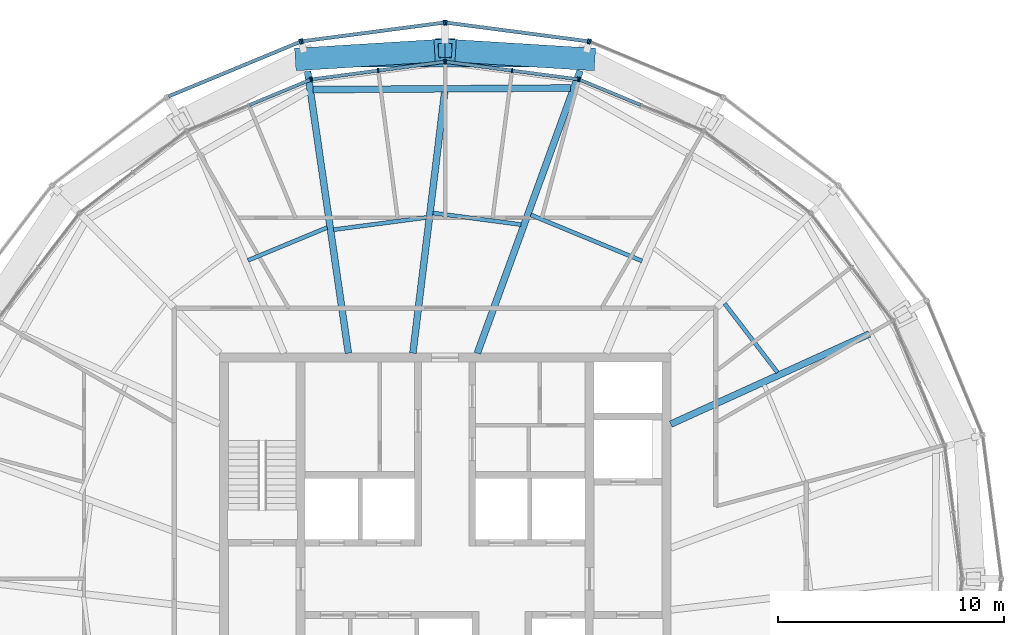
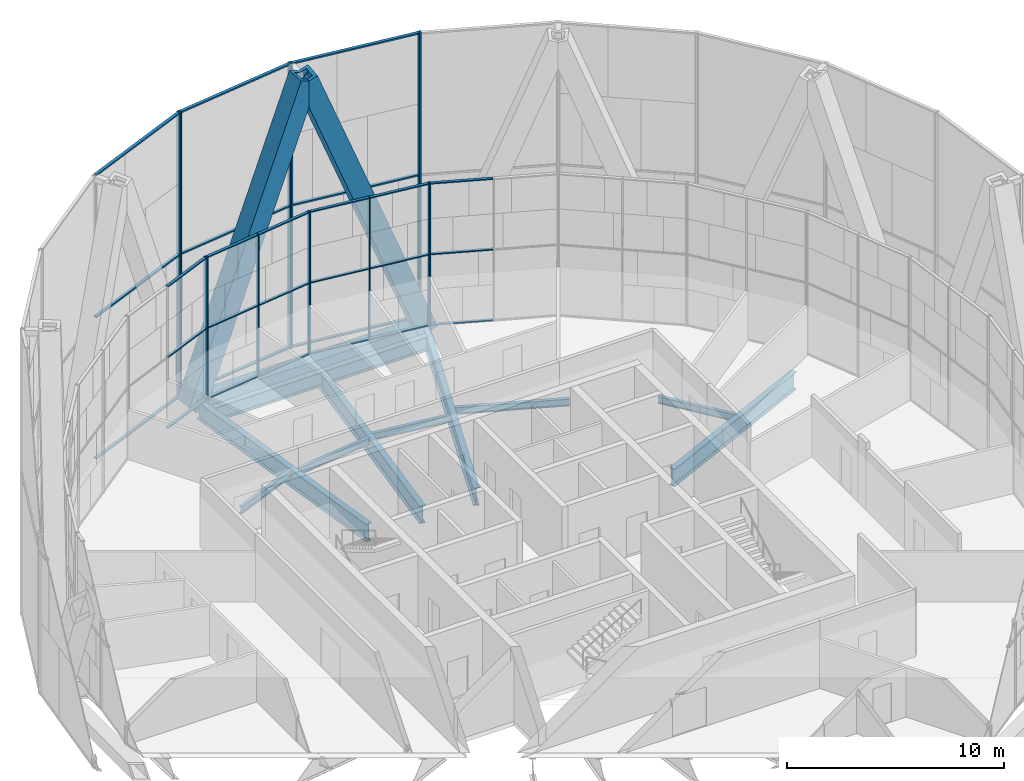
# One storey, part 7 of 23: 43 members, 11 beams, 8 elements without a shape of their own.
"""IFC4 building model written with IfcOpenShell, lengths in metres."""

import ifcopenshell
import ifcopenshell.guid

model = None  # the IFC model being written
_history = None  # IfcOwnerHistory: only IFC2X3 demands one
_inside = {}  # id of a spatial element -> (the spatial element, [elements in it])
_under = {}  # id of a project, library or spatial element -> (it, [spatial elements below it])
_declared = {}  # id of a project -> (the project, [libraries it declares])
_typed = {}  # id of a type object -> (the type object, [elements of that type])
_made_of = {}  # id of a material, layer set ... -> (it, [elements and type objects made of it])


def new_model(schema):
    """Start an empty IFC model of exactly this schema.

    Asked for "IFC4X3", IfcOpenShell would pick the latest addendum, in which some entities
    have other attributes; the version numbers below select the first issue.
    IFC2X3 requires an IfcOwnerHistory on every rooted entity: one is made here for all.
    """
    global model, _history
    if schema == "IFC4X3":
        model = ifcopenshell.file(schema_version=(4, 3, 0, 0))
    else:
        model = ifcopenshell.file(schema=schema)
    _inside.clear()
    _under.clear()
    _declared.clear()
    _typed.clear()
    _made_of.clear()
    _history = None
    if model.schema == "IFC2X3":
        org = make("IfcOrganization", Name="unknown")
        user = make(
            "IfcPersonAndOrganization",
            ThePerson=make("IfcPerson", FamilyName="unknown"),
            TheOrganization=org,
        )
        app = make(
            "IfcApplication",
            ApplicationDeveloper=org,
            Version="unknown",
            ApplicationFullName="unknown",
            ApplicationIdentifier="unknown",
        )
        _history = make(
            "IfcOwnerHistory",
            OwningUser=user,
            OwningApplication=app,
            ChangeAction="ADDED",
            CreationDate=0,
        )
    return model


def make(cls, **values):
    """One entity of the class cls with the attributes given. An attribute that is None is left unset."""
    return model.create_entity(
        cls, **{name: value for name, value in values.items() if value is not None}
    )


def rooted(cls, **values):
    """An entity with a GlobalId (a new one), such as an element, a storey or a relation."""
    return make(cls, GlobalId=ifcopenshell.guid.new(), OwnerHistory=_history, **values)


def si_unit(unit_type, name, prefix=None):
    """IfcSIUnit, for example si_unit("LENGTHUNIT", "METRE", prefix="MILLI")."""
    return make("IfcSIUnit", UnitType=unit_type, Prefix=prefix, Name=name)


def assignment(units):
    """IfcUnitAssignment: the units of a project."""
    return None if units is None else make("IfcUnitAssignment", Units=units)


def point(xyz):
    """IfcCartesianPoint."""
    return None if xyz is None else make("IfcCartesianPoint", Coordinates=xyz)


def direction(xyz):
    """IfcDirection."""
    return None if xyz is None else make("IfcDirection", DirectionRatios=xyz)


def frame(location, z_axis=None, x_axis=None):
    """IfcAxis2Placement3D, a coordinate frame: its origin and axes. An axis left out is left unset."""
    return make(
        "IfcAxis2Placement3D",
        Location=point(location),
        Axis=direction(z_axis),
        RefDirection=direction(x_axis),
    )


def frame_2d(location, x_axis=None):
    """IfcAxis2Placement2D, a coordinate frame in the plane: its origin and x axis."""
    return make(
        "IfcAxis2Placement2D", Location=point(location), RefDirection=direction(x_axis)
    )


def origin():
    """The frame at (0, 0, 0) with its axes left unset."""
    return frame((0.0, 0.0, 0.0))


def origin_2d():
    """The frame at (0, 0) in the plane with its x axis left unset."""
    return frame_2d((0.0, 0.0))


def place(relative_to, where):
    """IfcLocalPlacement: puts the frame where relative to a parent placement (None: the world)."""
    return make(
        "IfcLocalPlacement", PlacementRelTo=relative_to, RelativePlacement=where
    )


def context(
    kind, dimensions, precision=None, world=None, true_north=None, identifier=None
):
    """IfcGeometricRepresentationContext, for example the 3D "Model" context."""
    return make(
        "IfcGeometricRepresentationContext",
        ContextIdentifier=identifier,
        ContextType=kind,
        CoordinateSpaceDimension=dimensions,
        Precision=precision,
        WorldCoordinateSystem=world,
        TrueNorth=true_north,
    )


def subcontext(parent, identifier, kind, view, scale=None):
    """IfcGeometricRepresentationSubContext, for example "Body" below "Model"."""
    return make(
        "IfcGeometricRepresentationSubContext",
        ContextIdentifier=identifier,
        ContextType=kind,
        ParentContext=parent,
        TargetScale=scale,
        TargetView=view,
    )


def project(units=None, contexts=None):
    """IfcProject with its units and contexts."""
    return rooted(
        "IfcProject",
        Name="project",
        RepresentationContexts=contexts,
        UnitsInContext=assignment(units),
    )


def spatial(cls, under=None, at=None, **own):
    """A site, building, storey or space (cls), placed at a placement, below another one or the project."""
    s = rooted(cls, ObjectPlacement=at, **own)
    if under is not None:
        _under.setdefault(under.id(), (under, []))[1].append(s)
    return s


def profile(cls, at=None, kind="AREA", **sizes):
    """A parametric profile (cls). Its sizes go by their IFC names, for example OverallWidth=200.0."""
    return make(cls, ProfileType=kind, Position=at, **sizes)


def rectangle(**sizes):
    """IfcRectangleProfileDef."""
    return profile("IfcRectangleProfileDef", **sizes)


def hollow_rectangle(**sizes):
    """IfcRectangleHollowProfileDef."""
    return profile("IfcRectangleHollowProfileDef", **sizes)


def i_section(**sizes):
    """IfcIShapeProfileDef."""
    return profile("IfcIShapeProfileDef", **sizes)


def extrude(swept, where, along, depth):
    """IfcExtrudedAreaSolid: the profile swept, set in the frame where, extruded along a direction by depth."""
    return make(
        "IfcExtrudedAreaSolid",
        SweptArea=swept,
        Position=where,
        ExtrudedDirection=direction(along),
        Depth=depth,
    )


def shape(context_of_items, identifier, shape_type, items):
    """IfcShapeRepresentation: the items that make up one representation, for example the "Body"."""
    return make(
        "IfcShapeRepresentation",
        ContextOfItems=context_of_items,
        RepresentationIdentifier=identifier,
        RepresentationType=shape_type,
        Items=items,
    )


def material(Name=None, Category=None):
    """IfcMaterial."""
    return make("IfcMaterial", Name=Name, Category=Category)


def material_profile(
    of_material, cross_section, Name=None, Category=None, Priority=None
):
    """IfcMaterialProfile: a cross section and its material."""
    return make(
        "IfcMaterialProfile",
        Name=Name,
        Material=of_material,
        Profile=cross_section,
        Priority=Priority,
        Category=Category,
    )


def profile_set(profiles, Name=None, composite=None):
    """IfcMaterialProfileSet."""
    return make(
        "IfcMaterialProfileSet",
        Name=Name,
        MaterialProfiles=profiles,
        CompositeProfile=composite,
    )


def made_of(thing, what):
    """Note that an element or type object is made of a material, layer set ...; save() writes the relation."""
    if what is not None:
        _made_of.setdefault(what.id(), (what, []))[1].append(thing)
    return thing


def type_object(cls, material=None, **own):
    """A type object (cls), such as IfcWallType, which elements share."""
    return made_of(rooted(cls, **own), material)


def element(
    cls,
    number,
    at=None,
    inside=None,
    cuts=None,
    type_object=None,
    material=None,
    context=None,
    identifier="Body",
    shape_type=None,
    held_by="IfcProductDefinitionShape",
    body=None,
    shapes=None,
    **own,
):
    """One element of the class cls, such as IfcWall. Its Tag is "e" and its number.

    at: its placement. inside: the storey or other place that contains it. cuts: it is an
    opening in that element (IfcRelVoidsElement). A single representation is given by context,
    identifier, shape_type and body (its items); several are given by shapes. held_by: the class
    of the entity that holds the representations. save() writes the other relations.
    """
    e = rooted(cls, Tag="e%d" % number, ObjectPlacement=at, **own)
    if body is not None:
        shapes = [shape(context, identifier, shape_type, body)]
    if shapes is not None:
        e.Representation = make(held_by, Representations=shapes)
    if inside is not None:
        _inside.setdefault(inside.id(), (inside, []))[1].append(e)
    if cuts is not None:
        rooted(
            "IfcRelVoidsElement", RelatingBuildingElement=cuts, RelatedOpeningElement=e
        )
    if type_object is not None:
        _typed.setdefault(type_object.id(), (type_object, []))[1].append(e)
    return made_of(e, material)


def aggregate(whole, parts):
    """IfcRelAggregates: a whole, such as a stair, and the parts it consists of."""
    return rooted("IfcRelAggregates", RelatingObject=whole, RelatedObjects=parts)


def save(model, path):
    """Write the relations noted so far, then the file.

    IfcRelAggregates (storeys below a building ...), IfcRelContainedInSpatialStructure (elements
    in a storey), IfcRelDefinesByType, IfcRelAssociatesMaterial and IfcRelDeclares: one each for
    every whole, place, type object, material and project.
    """
    for whole, parts in _under.values():
        aggregate(whole, parts)
    for where, things in _inside.values():
        rooted(
            "IfcRelContainedInSpatialStructure",
            RelatedElements=things,
            RelatingStructure=where,
        )
    for kind, things in _typed.values():
        rooted("IfcRelDefinesByType", RelatedObjects=things, RelatingType=kind)
    for what, things in _made_of.values():
        rooted("IfcRelAssociatesMaterial", RelatedObjects=things, RelatingMaterial=what)
    for by, libraries in _declared.values():
        rooted("IfcRelDeclares", RelatingContext=by, RelatedDefinitions=libraries)
    model.write(path)


model = new_model("IFC4")

# Units and contexts
model_context = context("Model", 3, precision=1e-05, world=origin(), true_north=direction((0.0, 1.0)))
body_context = subcontext(model_context, "Body", "Model", "MODEL_VIEW")
ifc_project = project(units=[si_unit("LENGTHUNIT", "METRE"), si_unit("AREAUNIT", "SQUARE_METRE"), si_unit("VOLUMEUNIT", "CUBIC_METRE"), si_unit("PLANEANGLEUNIT", "RADIAN"), si_unit("MASSUNIT", "GRAM", prefix="KILO")], contexts=[model_context])

# Site, building, storey
site_placement = place(None, origin())
site = spatial("IfcSite", under=ifc_project, at=site_placement, CompositionType="ELEMENT")
building_placement = place(site_placement, origin())
building = spatial("IfcBuilding", under=site, at=building_placement, Name="Golbaran Civic Tower", CompositionType="ELEMENT")
storey_placement = place(building_placement, frame((0.0, 0.0, 232.0)))
storey = spatial("IfcBuildingStorey", under=building, at=storey_placement, Name="L56", CompositionType="ELEMENT", Elevation=232.0)

# Members
ifc_material_1 = material(Name="Steel S355", Category="steel")
ifc_material_profile_1 = material_profile(ifc_material_1, hollow_rectangle(XDim=1.0, YDim=1.0, WallThickness=0.179931640625, at=origin_2d()), Name="BOX 1000x1000x180")
ifc_profile_set_1 = profile_set([ifc_material_profile_1], Name="Steel S355")
member_type_1 = type_object("IfcMemberType", Name="DIAGRID DIAGONAL BOX 1000x1000x180", PredefinedType="BRACE", material=ifc_profile_set_1)
for number, where, z_axis, x_axis, name in (
    (1, (6.174072265625, 23.042236328125, -0.7099609375), (-0.359917511497, 0.022202195339, 0.932719919075), (-0.061569865582, -0.998102776097, 0.0), "Diagonal D13-02R L56-L60"),
    (2, (-6.174072265625, 23.042236328125, -0.7099609375), (0.359917511497, 0.022202195339, 0.932719919075), (-0.061569865582, 0.998102776097, 0.0), "Diagonal D13-03L L56-L60"),
):
    element("IfcMember", number, at=place(storey_placement, frame(where, z_axis=z_axis, x_axis=x_axis)), inside=storey, type_object=member_type_1, Name=name, PredefinedType="BRACE", context=body_context, shape_type="SweptSolid", body=[
        extrude(hollow_rectangle(XDim=1.0, YDim=1.0, WallThickness=0.179931640625, at=origin_2d()), origin(), (0.0, 0.0, 1.0), 17.154052734375),
    ])

# Beams
ifc_material_profile_2 = material_profile(ifc_material_1, hollow_rectangle(XDim=0.699951171875, YDim=0.699951171875, WallThickness=0.080078125, at=origin_2d()), Name="BOX 700x700x80")
ifc_profile_set_2 = profile_set([ifc_material_profile_2], Name="Steel S355")
beam_type_1 = type_object("IfcBeamType", Name="DIAGRID RING TIE BOX 700x700x80", PredefinedType="BEAM", material=ifc_profile_set_2)
beam_1_placement = place(storey_placement, frame((6.174072265625, 23.042236328125, -0.7099609375), z_axis=(-1.0, 0.0, 0.0), x_axis=(0.0, -1.0, 0.0)))
element("IfcBeam", 3, at=beam_1_placement, inside=storey, type_object=beam_type_1, Name="Ring tie 75.00 L56", PredefinedType="BEAM", context=body_context, shape_type="SweptSolid", body=[
    extrude(hollow_rectangle(XDim=0.699951171875, YDim=0.699951171875, WallThickness=0.080078125, at=origin_2d()), origin(), (0.0, 0.0, 1.0), 12.34814453125),
])
ifc_material_profile_3 = material_profile(ifc_material_1, i_section(OverallWidth=0.300048828125, OverallDepth=0.800048828125, WebThickness=0.017578125, FlangeThickness=0.032958984375, FilletRadius=0.030029296875, at=origin_2d()), Name="HEB 800")
ifc_profile_set_3 = profile_set([ifc_material_profile_3], Name="Steel S355")
beam_type_2 = type_object("IfcBeamType", Name="EDGE BEAM HEB 800", PredefinedType="BEAM", material=ifc_profile_set_3)
beam_2_placement = place(storey_placement, frame((5.56591796875, 21.75048828125, -0.60009765625), z_axis=(-0.999980352991, -0.006268463307, 0.0), x_axis=(0.006268463307, -0.999980352991, 0.0)))
element("IfcBeam", 4, at=beam_2_placement, inside=storey, type_object=beam_type_2, Name="Edge beam 75.00 L56", PredefinedType="BEAM", context=body_context, shape_type="SweptSolid", body=[
    extrude(i_section(OverallWidth=0.300048828125, OverallDepth=0.800048828125, WebThickness=0.017578125, FlangeThickness=0.032958984375, FilletRadius=0.030029296875, at=origin_2d()), origin(), (0.0, 0.0, 1.0), 11.41162109375),
])
ifc_material_profile_4 = material_profile(ifc_material_1, i_section(OverallWidth=0.179931640625, OverallDepth=0.39990234375, WebThickness=0.008544921875, FlangeThickness=0.013427734375, FilletRadius=0.02099609375, at=origin_2d()), Name="IPE 400")
ifc_profile_set_4 = profile_set([ifc_material_profile_4], Name="Steel S355")
beam_type_3 = type_object("IfcBeamType", Name="FLOOR INFILL BEAM IPE 400", PredefinedType="BEAM", material=ifc_profile_set_4)
beam_3_placement = place(storey_placement, frame((14.727294921875, 9.14697265625, -0.39990234375), z_axis=(-0.608763080364, 0.793352073159, 0.0), x_axis=(-0.793352073159, -0.608763080364, 0.0)))
element("IfcBeam", 5, at=beam_3_placement, inside=storey, type_object=beam_type_3, Name="Infill beam 37.50 L56", PredefinedType="BEAM", context=body_context, shape_type="SweptSolid", body=[
    extrude(i_section(OverallWidth=0.179931640625, OverallDepth=0.39990234375, WebThickness=0.008544921875, FlangeThickness=0.013427734375, FilletRadius=0.02099609375, at=origin_2d()), origin(), (0.0, 0.0, 1.0), 3.848876953125),
])
beam_4_placement = place(storey_placement, frame((8.7255859375, 14.087646484375, -0.39990234375), z_axis=(-0.92387515046, 0.382694011401, 0.0), x_axis=(-0.382694011401, -0.92387515046, 0.0)))
element("IfcBeam", 6, at=beam_4_placement, inside=storey, type_object=beam_type_3, Name="Infill beam 67.50 L56", PredefinedType="BEAM", context=body_context, shape_type="SweptSolid", body=[
    extrude(i_section(OverallWidth=0.179931640625, OverallDepth=0.39990234375, WebThickness=0.008544921875, FlangeThickness=0.013427734375, FilletRadius=0.02099609375, at=origin_2d()), origin(), (0.0, 0.0, 1.0), 5.33447265625),
])
beam_5_placement = place(storey_placement, frame((3.36376953125, 15.698974609375, -0.39990234375), z_axis=(-0.99144585179, 0.130518669044, 0.0), x_axis=(-0.130518669044, -0.99144585179, 0.0)))
element("IfcBeam", 7, at=beam_5_placement, inside=storey, type_object=beam_type_3, Name="Infill beam 82.50 L56", PredefinedType="BEAM", context=body_context, shape_type="SweptSolid", body=[
    extrude(i_section(OverallWidth=0.179931640625, OverallDepth=0.39990234375, WebThickness=0.008544921875, FlangeThickness=0.013427734375, FilletRadius=0.02099609375, at=origin_2d()), origin(), (0.0, 0.0, 1.0), 3.9375),
])
beam_6_placement = place(storey_placement, frame((-0.826171875, 16.014892578125, -0.39990234375), z_axis=(-0.991445095919, -0.130524410661, 0.0), x_axis=(0.130524410661, -0.991445095919, 0.0)))
element("IfcBeam", 8, at=beam_6_placement, inside=storey, type_object=beam_type_3, Name="Infill beam 97.50 L56", PredefinedType="BEAM", context=body_context, shape_type="SweptSolid", body=[
    extrude(i_section(OverallWidth=0.179931640625, OverallDepth=0.39990234375, WebThickness=0.008544921875, FlangeThickness=0.013427734375, FilletRadius=0.02099609375, at=origin_2d()), origin(), (0.0, 0.0, 1.0), 4.15625),
])
beam_7_placement = place(storey_placement, frame((-5.223388671875, 15.568115234375, -0.39990234375), z_axis=(-0.923857260283, -0.382737197856, 0.0), x_axis=(0.382737197856, -0.923857260283, 0.0)))
element("IfcBeam", 9, at=beam_7_placement, inside=storey, type_object=beam_type_3, Name="Infill beam 112.50 L56", PredefinedType="BEAM", context=body_context, shape_type="SweptSolid", body=[
    extrude(i_section(OverallWidth=0.179931640625, OverallDepth=0.39990234375, WebThickness=0.008544921875, FlangeThickness=0.013427734375, FilletRadius=0.02099609375, at=origin_2d()), origin(), (0.0, 0.0, 1.0), 3.80419921875),
])

# Curtain wall, member
ifc_material_2 = material(Name="Aluminium and glass", Category="aluminium")
curtain_wall_type_1 = type_object("IfcCurtainWallType", Name="INNER SKIN CURTAIN WALL EXECUTIVE", PredefinedType="NOTDEFINED", material=ifc_material_2)
curtain_wall_1_placement = place(storey_placement, origin())
curtain_wall_1 = element("IfcCurtainWall", 10, at=curtain_wall_1_placement, inside=storey, type_object=curtain_wall_type_1, Name="Inner skin L56 facet 5 CW2", ObjectType="INNER SKIN", PredefinedType="USERDEFINED")
ifc_material_3 = material(Name="Aluminium", Category="aluminium")
ifc_material_profile_5 = material_profile(ifc_material_3, rectangle(XDim=0.199951171875, YDim=0.06005859375, at=origin_2d()), Name="INNER SKIN CURTAIN WALL EXECUTIVE MULLION")
ifc_profile_set_5 = profile_set([ifc_material_profile_5], Name="Aluminium")
member_type_2 = type_object("IfcMemberType", Name="INNER SKIN CURTAIN WALL EXECUTIVE MULLION", PredefinedType="MULLION", material=ifc_profile_set_5)
member_1_placement = place(storey_placement, frame((5.9580078125, 22.120849609375, 0.0), z_axis=(0.0, 0.0, 1.0), x_axis=(-0.382683432365, -0.923879532511, 0.0)))
member_1 = element("IfcMember", 11, at=member_1_placement, type_object=member_type_2, Name="CW2 mullion 3", PredefinedType="MULLION", context=body_context, shape_type="SweptSolid", body=[
    extrude(rectangle(XDim=0.199951171875, YDim=0.06005859375, at=origin_2d()), origin(), (0.0, 0.0, 1.0), 8.0),
])

# Curtain wall, members
curtain_wall_2_placement = place(storey_placement, origin())
curtain_wall_2 = element("IfcCurtainWall", 12, at=curtain_wall_2_placement, inside=storey, type_object=curtain_wall_type_1, Name="Inner skin L56 facet 6 CW2", ObjectType="INNER SKIN", PredefinedType="USERDEFINED")
member_2_placement = place(storey_placement, frame((5.900634765625, 22.13623046875, 0.0), z_axis=(0.0, 0.0, 1.0), x_axis=(-0.130526192185, -0.991444861378, 0.0)))
member_2 = element("IfcMember", 13, at=member_2_placement, type_object=member_type_2, Name="CW2 mullion 1", PredefinedType="MULLION", context=body_context, shape_type="SweptSolid", body=[
    extrude(rectangle(XDim=0.199951171875, YDim=0.06005859375, at=origin_2d()), origin(), (0.0, 0.0, 1.0), 8.0),
])
member_3_placement = place(storey_placement, frame((2.965087890625, 22.522705078125, 0.0), z_axis=(0.0, 0.0, 1.0), x_axis=(-0.130526192185, -0.991444861378, 0.0)))
member_3 = element("IfcMember", 14, at=member_3_placement, type_object=member_type_2, Name="CW2 mullion 2", PredefinedType="MULLION", context=body_context, shape_type="SweptSolid", body=[
    extrude(rectangle(XDim=0.199951171875, YDim=0.06005859375, at=origin_2d()), origin(), (0.0, 0.0, 1.0), 8.0),
])
member_4_placement = place(storey_placement, frame((0.02978515625, 22.9091796875, 0.0), z_axis=(0.0, 0.0, 1.0), x_axis=(-0.130526192185, -0.991444861378, 0.0)))
member_4 = element("IfcMember", 15, at=member_4_placement, type_object=member_type_2, Name="CW2 mullion 3", PredefinedType="MULLION", context=body_context, shape_type="SweptSolid", body=[
    extrude(rectangle(XDim=0.199951171875, YDim=0.06005859375, at=origin_2d()), origin(), (0.0, 0.0, 1.0), 8.0),
])

curtain_wall_3_placement = place(storey_placement, origin())
curtain_wall_3 = element("IfcCurtainWall", 16, at=curtain_wall_3_placement, inside=storey, type_object=curtain_wall_type_1, Name="Inner skin L56 facet 7 CW2", ObjectType="INNER SKIN", PredefinedType="USERDEFINED")
member_5_placement = place(storey_placement, frame((-0.02978515625, 22.9091796875, 0.0), z_axis=(0.0, 0.0, 1.0), x_axis=(0.130526192185, -0.991444861378, 0.0)))
member_5 = element("IfcMember", 17, at=member_5_placement, type_object=member_type_2, Name="CW2 mullion 1", PredefinedType="MULLION", context=body_context, shape_type="SweptSolid", body=[
    extrude(rectangle(XDim=0.199951171875, YDim=0.06005859375, at=origin_2d()), origin(), (0.0, 0.0, 1.0), 8.0),
])
member_6_placement = place(storey_placement, frame((-2.965087890625, 22.522705078125, 0.0), z_axis=(0.0, 0.0, 1.0), x_axis=(0.130526192185, -0.991444861378, 0.0)))
member_6 = element("IfcMember", 18, at=member_6_placement, type_object=member_type_2, Name="CW2 mullion 2", PredefinedType="MULLION", context=body_context, shape_type="SweptSolid", body=[
    extrude(rectangle(XDim=0.199951171875, YDim=0.06005859375, at=origin_2d()), origin(), (0.0, 0.0, 1.0), 8.0),
])
member_7_placement = place(storey_placement, frame((-5.900634765625, 22.13623046875, 0.0), z_axis=(0.0, 0.0, 1.0), x_axis=(0.130526192185, -0.991444861378, 0.0)))
member_7 = element("IfcMember", 19, at=member_7_placement, type_object=member_type_2, Name="CW2 mullion 3", PredefinedType="MULLION", context=body_context, shape_type="SweptSolid", body=[
    extrude(rectangle(XDim=0.199951171875, YDim=0.06005859375, at=origin_2d()), origin(), (0.0, 0.0, 1.0), 8.0),
])

# Curtain wall, member
curtain_wall_4_placement = place(storey_placement, origin())
curtain_wall_4 = element("IfcCurtainWall", 20, at=curtain_wall_4_placement, inside=storey, type_object=curtain_wall_type_1, Name="Inner skin L56 facet 8 CW2", ObjectType="INNER SKIN", PredefinedType="USERDEFINED")
member_8_placement = place(storey_placement, frame((-5.9580078125, 22.120849609375, 0.0), z_axis=(0.0, 0.0, 1.0), x_axis=(0.382683432365, -0.923879532511, 0.0)))
member_8 = element("IfcMember", 21, at=member_8_placement, type_object=member_type_2, Name="CW2 mullion 1", PredefinedType="MULLION", context=body_context, shape_type="SweptSolid", body=[
    extrude(rectangle(XDim=0.199951171875, YDim=0.06005859375, at=origin_2d()), origin(), (0.0, 0.0, 1.0), 8.0),
])

# Member
ifc_material_profile_6 = material_profile(ifc_material_3, rectangle(XDim=0.14990234375, YDim=0.06005859375, at=origin_2d()), Name="INNER SKIN CURTAIN WALL EXECUTIVE TRANSOM")
ifc_profile_set_6 = profile_set([ifc_material_profile_6], Name="Aluminium")
member_type_3 = type_object("IfcMemberType", Name="INNER SKIN CURTAIN WALL EXECUTIVE TRANSOM", PredefinedType="USERDEFINED", material=ifc_profile_set_6)
member_9_placement = place(storey_placement, frame((8.665771484375, 20.999267578125, 0.030029296875), z_axis=(-0.923874243896, 0.382696199963, 0.0), x_axis=(-0.382696199963, -0.923874243896, 0.0)))
member_9 = element("IfcMember", 22, at=member_9_placement, type_object=member_type_3, Name="CW2 transom 2.1", ObjectType="TRANSOM", PredefinedType="USERDEFINED", context=body_context, shape_type="SweptSolid", body=[
    extrude(rectangle(XDim=0.14990234375, YDim=0.06005859375, at=origin_2d()), origin(), (0.0, 0.0, 1.0), 2.900634765625),
])

member_10_placement = place(storey_placement, frame((8.665771484375, 20.999267578125, 4.0), z_axis=(-0.923874243896, 0.382696199963, 0.0), x_axis=(-0.382696199963, -0.923874243896, 0.0)))
member_10 = element("IfcMember", 23, at=member_10_placement, type_object=member_type_3, Name="CW2 transom 2.2", ObjectType="TRANSOM", PredefinedType="USERDEFINED", context=body_context, shape_type="SweptSolid", body=[
    extrude(rectangle(XDim=0.14990234375, YDim=0.06005859375, at=origin_2d()), origin(), (0.0, 0.0, 1.0), 2.900634765625),
])

member_11_placement = place(storey_placement, frame((8.665771484375, 20.999267578125, 7.969970703125), z_axis=(-0.923874243896, 0.382696199963, 0.0), x_axis=(-0.382696199963, -0.923874243896, 0.0)))
member_11 = element("IfcMember", 24, at=member_11_placement, type_object=member_type_3, Name="CW2 transom 2.3", ObjectType="TRANSOM", PredefinedType="USERDEFINED", context=body_context, shape_type="SweptSolid", body=[
    extrude(rectangle(XDim=0.14990234375, YDim=0.06005859375, at=origin_2d()), origin(), (0.0, 0.0, 1.0), 2.900634765625),
])

aggregate(curtain_wall_1, [member_1, member_9, member_10, member_11])

member_12_placement = place(storey_placement, frame((5.870849609375, 22.14013671875, 0.030029296875), z_axis=(-0.991443406439, 0.130537243072, 0.0), x_axis=(-0.130537243072, -0.991443406439, 0.0)))
member_12 = element("IfcMember", 25, at=member_12_placement, type_object=member_type_3, Name="CW2 transom 1.1", ObjectType="TRANSOM", PredefinedType="USERDEFINED", context=body_context, shape_type="SweptSolid", body=[
    extrude(rectangle(XDim=0.14990234375, YDim=0.06005859375, at=origin_2d()), origin(), (0.0, 0.0, 1.0), 2.90087890625),
])

member_13_placement = place(storey_placement, frame((5.870849609375, 22.14013671875, 4.0), z_axis=(-0.991443406439, 0.130537243072, 0.0), x_axis=(-0.130537243072, -0.991443406439, 0.0)))
member_13 = element("IfcMember", 26, at=member_13_placement, type_object=member_type_3, Name="CW2 transom 1.2", ObjectType="TRANSOM", PredefinedType="USERDEFINED", context=body_context, shape_type="SweptSolid", body=[
    extrude(rectangle(XDim=0.14990234375, YDim=0.06005859375, at=origin_2d()), origin(), (0.0, 0.0, 1.0), 2.90087890625),
])

member_14_placement = place(storey_placement, frame((5.870849609375, 22.14013671875, 7.969970703125), z_axis=(-0.991443406439, 0.130537243072, 0.0), x_axis=(-0.130537243072, -0.991443406439, 0.0)))
member_14 = element("IfcMember", 27, at=member_14_placement, type_object=member_type_3, Name="CW2 transom 1.3", ObjectType="TRANSOM", PredefinedType="USERDEFINED", context=body_context, shape_type="SweptSolid", body=[
    extrude(rectangle(XDim=0.14990234375, YDim=0.06005859375, at=origin_2d()), origin(), (0.0, 0.0, 1.0), 2.90087890625),
])

member_15_placement = place(storey_placement, frame((2.935302734375, 22.526611328125, 0.030029296875), z_axis=(-0.99144197212, 0.130548136409, 0.0), x_axis=(-0.130548136409, -0.99144197212, 0.0)))
member_15 = element("IfcMember", 28, at=member_15_placement, type_object=member_type_3, Name="CW2 transom 2.1", ObjectType="TRANSOM", PredefinedType="USERDEFINED", context=body_context, shape_type="SweptSolid", body=[
    extrude(rectangle(XDim=0.14990234375, YDim=0.06005859375, at=origin_2d()), origin(), (0.0, 0.0, 1.0), 2.900634765625),
])

member_16_placement = place(storey_placement, frame((2.935302734375, 22.526611328125, 4.0), z_axis=(-0.99144197212, 0.130548136409, 0.0), x_axis=(-0.130548136409, -0.99144197212, 0.0)))
member_16 = element("IfcMember", 29, at=member_16_placement, type_object=member_type_3, Name="CW2 transom 2.2", ObjectType="TRANSOM", PredefinedType="USERDEFINED", context=body_context, shape_type="SweptSolid", body=[
    extrude(rectangle(XDim=0.14990234375, YDim=0.06005859375, at=origin_2d()), origin(), (0.0, 0.0, 1.0), 2.900634765625),
])

member_17_placement = place(storey_placement, frame((2.935302734375, 22.526611328125, 7.969970703125), z_axis=(-0.99144197212, 0.130548136409, 0.0), x_axis=(-0.130548136409, -0.99144197212, 0.0)))
member_17 = element("IfcMember", 30, at=member_17_placement, type_object=member_type_3, Name="CW2 transom 2.3", ObjectType="TRANSOM", PredefinedType="USERDEFINED", context=body_context, shape_type="SweptSolid", body=[
    extrude(rectangle(XDim=0.14990234375, YDim=0.06005859375, at=origin_2d()), origin(), (0.0, 0.0, 1.0), 2.900634765625),
])

aggregate(curtain_wall_2, [member_2, member_3, member_4, member_12, member_13, member_14, member_15, member_16, member_17])

member_18_placement = place(storey_placement, frame((-0.0595703125, 22.9052734375, 0.030029296875), z_axis=(-0.99144197212, -0.130548136409, 0.0), x_axis=(0.130548136409, -0.99144197212, 0.0)))
member_18 = element("IfcMember", 31, at=member_18_placement, type_object=member_type_3, Name="CW2 transom 1.1", ObjectType="TRANSOM", PredefinedType="USERDEFINED", context=body_context, shape_type="SweptSolid", body=[
    extrude(rectangle(XDim=0.14990234375, YDim=0.06005859375, at=origin_2d()), origin(), (0.0, 0.0, 1.0), 2.900634765625),
])

member_19_placement = place(storey_placement, frame((-0.0595703125, 22.9052734375, 4.0), z_axis=(-0.99144197212, -0.130548136409, 0.0), x_axis=(0.130548136409, -0.99144197212, 0.0)))
member_19 = element("IfcMember", 32, at=member_19_placement, type_object=member_type_3, Name="CW2 transom 1.2", ObjectType="TRANSOM", PredefinedType="USERDEFINED", context=body_context, shape_type="SweptSolid", body=[
    extrude(rectangle(XDim=0.14990234375, YDim=0.06005859375, at=origin_2d()), origin(), (0.0, 0.0, 1.0), 2.900634765625),
])

member_20_placement = place(storey_placement, frame((-0.0595703125, 22.9052734375, 7.969970703125), z_axis=(-0.99144197212, -0.130548136409, 0.0), x_axis=(0.130548136409, -0.99144197212, 0.0)))
member_20 = element("IfcMember", 33, at=member_20_placement, type_object=member_type_3, Name="CW2 transom 1.3", ObjectType="TRANSOM", PredefinedType="USERDEFINED", context=body_context, shape_type="SweptSolid", body=[
    extrude(rectangle(XDim=0.14990234375, YDim=0.06005859375, at=origin_2d()), origin(), (0.0, 0.0, 1.0), 2.900634765625),
])

member_21_placement = place(storey_placement, frame((-2.994873046875, 22.518798828125, 0.030029296875), z_axis=(-0.991443406439, -0.130537243072, 0.0), x_axis=(0.130537243072, -0.991443406439, 0.0)))
member_21 = element("IfcMember", 34, at=member_21_placement, type_object=member_type_3, Name="CW2 transom 2.1", ObjectType="TRANSOM", PredefinedType="USERDEFINED", context=body_context, shape_type="SweptSolid", body=[
    extrude(rectangle(XDim=0.14990234375, YDim=0.06005859375, at=origin_2d()), origin(), (0.0, 0.0, 1.0), 2.90087890625),
])

member_22_placement = place(storey_placement, frame((-2.994873046875, 22.518798828125, 4.0), z_axis=(-0.991443406439, -0.130537243072, 0.0), x_axis=(0.130537243072, -0.991443406439, 0.0)))
member_22 = element("IfcMember", 35, at=member_22_placement, type_object=member_type_3, Name="CW2 transom 2.2", ObjectType="TRANSOM", PredefinedType="USERDEFINED", context=body_context, shape_type="SweptSolid", body=[
    extrude(rectangle(XDim=0.14990234375, YDim=0.06005859375, at=origin_2d()), origin(), (0.0, 0.0, 1.0), 2.90087890625),
])

member_23_placement = place(storey_placement, frame((-2.994873046875, 22.518798828125, 7.969970703125), z_axis=(-0.991443406439, -0.130537243072, 0.0), x_axis=(0.130537243072, -0.991443406439, 0.0)))
member_23 = element("IfcMember", 36, at=member_23_placement, type_object=member_type_3, Name="CW2 transom 2.3", ObjectType="TRANSOM", PredefinedType="USERDEFINED", context=body_context, shape_type="SweptSolid", body=[
    extrude(rectangle(XDim=0.14990234375, YDim=0.06005859375, at=origin_2d()), origin(), (0.0, 0.0, 1.0), 2.90087890625),
])

aggregate(curtain_wall_3, [member_5, member_6, member_7, member_18, member_19, member_20, member_21, member_22, member_23])

member_24_placement = place(storey_placement, frame((-5.98583984375, 22.109375, 0.030029296875), z_axis=(-0.923874243896, -0.382696199963, 0.0), x_axis=(0.382696199963, -0.923874243896, 0.0)))
member_24 = element("IfcMember", 37, at=member_24_placement, type_object=member_type_3, Name="CW2 transom 1.1", ObjectType="TRANSOM", PredefinedType="USERDEFINED", context=body_context, shape_type="SweptSolid", body=[
    extrude(rectangle(XDim=0.14990234375, YDim=0.06005859375, at=origin_2d()), origin(), (0.0, 0.0, 1.0), 2.900634765625),
])

member_25_placement = place(storey_placement, frame((-5.98583984375, 22.109375, 4.0), z_axis=(-0.923874243896, -0.382696199963, 0.0), x_axis=(0.382696199963, -0.923874243896, 0.0)))
member_25 = element("IfcMember", 38, at=member_25_placement, type_object=member_type_3, Name="CW2 transom 1.2", ObjectType="TRANSOM", PredefinedType="USERDEFINED", context=body_context, shape_type="SweptSolid", body=[
    extrude(rectangle(XDim=0.14990234375, YDim=0.06005859375, at=origin_2d()), origin(), (0.0, 0.0, 1.0), 2.900634765625),
])

member_26_placement = place(storey_placement, frame((-5.98583984375, 22.109375, 7.969970703125), z_axis=(-0.923874243896, -0.382696199963, 0.0), x_axis=(0.382696199963, -0.923874243896, 0.0)))
member_26 = element("IfcMember", 39, at=member_26_placement, type_object=member_type_3, Name="CW2 transom 1.3", ObjectType="TRANSOM", PredefinedType="USERDEFINED", context=body_context, shape_type="SweptSolid", body=[
    extrude(rectangle(XDim=0.14990234375, YDim=0.06005859375, at=origin_2d()), origin(), (0.0, 0.0, 1.0), 2.900634765625),
])

aggregate(curtain_wall_4, [member_8, member_24, member_25, member_26])

# Curtain wall, member
curtain_wall_type_2 = type_object("IfcCurtainWallType", Name="OUTER SKIN TERRACOTTA SCREEN", PredefinedType="NOTDEFINED", material=ifc_material_2)
curtain_wall_5_placement = place(storey_placement, origin())
curtain_wall_5 = element("IfcCurtainWall", 40, at=curtain_wall_5_placement, inside=storey, type_object=curtain_wall_type_2, Name="Outer skin L56 facet 5 CW3", ObjectType="OUTER SKIN", PredefinedType="USERDEFINED")
ifc_material_profile_7 = material_profile(ifc_material_3, rectangle(XDim=0.219970703125, YDim=0.080078125, at=origin_2d()), Name="OUTER SKIN TERRACOTTA SCREEN MULLION")
ifc_profile_set_7 = profile_set([ifc_material_profile_7], Name="Aluminium")
member_type_4 = type_object("IfcMemberType", Name="OUTER SKIN TERRACOTTA SCREEN MULLION", PredefinedType="MULLION", material=ifc_profile_set_7)
member_27_placement = place(storey_placement, frame((6.418212890625, 23.799560546875, -0.7099609375), z_axis=(0.0, 0.0, 1.0), x_axis=(-0.382683432381, -0.923879532505, 0.0)))
member_27 = element("IfcMember", 41, at=member_27_placement, type_object=member_type_4, Name="CW3 mullion 2", PredefinedType="MULLION", context=body_context, shape_type="SweptSolid", body=[
    extrude(rectangle(XDim=0.219970703125, YDim=0.080078125, at=origin_2d()), origin(), (0.0, 0.0, 1.0), 16.0),
])
aggregate(curtain_wall_5, [member_27])

# Curtain wall, members
curtain_wall_6_placement = place(storey_placement, origin())
curtain_wall_6 = element("IfcCurtainWall", 42, at=curtain_wall_6_placement, inside=storey, type_object=curtain_wall_type_2, Name="Outer skin L56 facet 6 CW3", ObjectType="OUTER SKIN", PredefinedType="USERDEFINED")
member_28_placement = place(storey_placement, frame((6.341552734375, 23.820068359375, -0.7099609375), z_axis=(0.0, 0.0, 1.0), x_axis=(-0.130526192237, -0.991444861372, 0.0)))
member_28 = element("IfcMember", 43, at=member_28_placement, type_object=member_type_4, Name="CW3 mullion 1", PredefinedType="MULLION", context=body_context, shape_type="SweptSolid", body=[
    extrude(rectangle(XDim=0.219970703125, YDim=0.080078125, at=origin_2d()), origin(), (0.0, 0.0, 1.0), 16.0),
])
member_29_placement = place(storey_placement, frame((0.03955078125, 24.649658203125, -0.7099609375), z_axis=(0.0, 0.0, 1.0), x_axis=(-0.130526192237, -0.991444861372, 0.0)))
member_29 = element("IfcMember", 44, at=member_29_placement, type_object=member_type_4, Name="CW3 mullion 2", PredefinedType="MULLION", context=body_context, shape_type="SweptSolid", body=[
    extrude(rectangle(XDim=0.219970703125, YDim=0.080078125, at=origin_2d()), origin(), (0.0, 0.0, 1.0), 16.0),
])

curtain_wall_7_placement = place(storey_placement, origin())
curtain_wall_7 = element("IfcCurtainWall", 45, at=curtain_wall_7_placement, inside=storey, type_object=curtain_wall_type_2, Name="Outer skin L56 facet 7 CW3", ObjectType="OUTER SKIN", PredefinedType="USERDEFINED")
member_30_placement = place(storey_placement, frame((-0.03955078125, 24.649658203125, -0.7099609375), z_axis=(0.0, 0.0, 1.0), x_axis=(0.130526192237, -0.991444861372, 0.0)))
member_30 = element("IfcMember", 46, at=member_30_placement, type_object=member_type_4, Name="CW3 mullion 1", PredefinedType="MULLION", context=body_context, shape_type="SweptSolid", body=[
    extrude(rectangle(XDim=0.219970703125, YDim=0.080078125, at=origin_2d()), origin(), (0.0, 0.0, 1.0), 16.0),
])
member_31_placement = place(storey_placement, frame((-6.341552734375, 23.820068359375, -0.7099609375), z_axis=(0.0, 0.0, 1.0), x_axis=(0.130526192237, -0.991444861372, 0.0)))
member_31 = element("IfcMember", 47, at=member_31_placement, type_object=member_type_4, Name="CW3 mullion 2", PredefinedType="MULLION", context=body_context, shape_type="SweptSolid", body=[
    extrude(rectangle(XDim=0.219970703125, YDim=0.080078125, at=origin_2d()), origin(), (0.0, 0.0, 1.0), 16.0),
])

# Curtain wall, member
curtain_wall_8_placement = place(storey_placement, origin())
curtain_wall_8 = element("IfcCurtainWall", 48, at=curtain_wall_8_placement, inside=storey, type_object=curtain_wall_type_2, Name="Outer skin L56 facet 8 CW3", ObjectType="OUTER SKIN", PredefinedType="USERDEFINED")
member_32_placement = place(storey_placement, frame((-6.418212890625, 23.799560546875, -0.7099609375), z_axis=(0.0, 0.0, 1.0), x_axis=(0.382683432381, -0.923879532505, 0.0)))
member_32 = element("IfcMember", 49, at=member_32_placement, type_object=member_type_4, Name="CW3 mullion 1", PredefinedType="MULLION", context=body_context, shape_type="SweptSolid", body=[
    extrude(rectangle(XDim=0.219970703125, YDim=0.080078125, at=origin_2d()), origin(), (0.0, 0.0, 1.0), 16.0),
])

# Member
ifc_material_profile_8 = material_profile(ifc_material_3, rectangle(XDim=0.159912109375, YDim=0.080078125, at=origin_2d()), Name="OUTER SKIN TERRACOTTA SCREEN TRANSOM")
ifc_profile_set_8 = profile_set([ifc_material_profile_8], Name="Aluminium")
member_type_5 = type_object("IfcMemberType", Name="OUTER SKIN TERRACOTTA SCREEN TRANSOM", PredefinedType="USERDEFINED", material=ifc_profile_set_8)
member_33_placement = place(storey_placement, frame((6.3017578125, 23.825439453125, -0.669921875), z_axis=(-0.991447011813, 0.130509856972, 0.0), x_axis=(-0.130509856972, -0.991447011813, 0.0)))
member_33 = element("IfcMember", 50, at=member_33_placement, type_object=member_type_5, Name="CW3 transom 1.1", ObjectType="TRANSOM", PredefinedType="USERDEFINED", context=body_context, shape_type="SweptSolid", body=[
    extrude(rectangle(XDim=0.159912109375, YDim=0.080078125, at=origin_2d()), origin(), (0.0, 0.0, 1.0), 6.276123046875),
])

member_34_placement = place(storey_placement, frame((6.3017578125, 23.825439453125, 7.2900390625), z_axis=(-0.991447011813, 0.130509856972, 0.0), x_axis=(-0.130509856972, -0.991447011813, 0.0)))
member_34 = element("IfcMember", 51, at=member_34_placement, type_object=member_type_5, Name="CW3 transom 1.2", ObjectType="TRANSOM", PredefinedType="USERDEFINED", context=body_context, shape_type="SweptSolid", body=[
    extrude(rectangle(XDim=0.159912109375, YDim=0.080078125, at=origin_2d()), origin(), (0.0, 0.0, 1.0), 6.276123046875),
])

member_35_placement = place(storey_placement, frame((6.3017578125, 23.825439453125, 15.25), z_axis=(-0.991447011813, 0.130509856972, 0.0), x_axis=(-0.130509856972, -0.991447011813, 0.0)))
member_35 = element("IfcMember", 52, at=member_35_placement, type_object=member_type_5, Name="CW3 transom 1.3", ObjectType="TRANSOM", PredefinedType="USERDEFINED", context=body_context, shape_type="SweptSolid", body=[
    extrude(rectangle(XDim=0.159912109375, YDim=0.080078125, at=origin_2d()), origin(), (0.0, 0.0, 1.0), 6.276123046875),
])

aggregate(curtain_wall_6, [member_28, member_29, member_33, member_34, member_35])

member_36_placement = place(storey_placement, frame((-0.079345703125, 24.64453125, -0.669921875), z_axis=(-0.991447011813, -0.130509856972, 0.0), x_axis=(0.130509856972, -0.991447011813, 0.0)))
member_36 = element("IfcMember", 53, at=member_36_placement, type_object=member_type_5, Name="CW3 transom 1.1", ObjectType="TRANSOM", PredefinedType="USERDEFINED", context=body_context, shape_type="SweptSolid", body=[
    extrude(rectangle(XDim=0.159912109375, YDim=0.080078125, at=origin_2d()), origin(), (0.0, 0.0, 1.0), 6.276123046875),
])

member_37_placement = place(storey_placement, frame((-0.079345703125, 24.64453125, 7.2900390625), z_axis=(-0.991447011813, -0.130509856972, 0.0), x_axis=(0.130509856972, -0.991447011813, 0.0)))
member_37 = element("IfcMember", 54, at=member_37_placement, type_object=member_type_5, Name="CW3 transom 1.2", ObjectType="TRANSOM", PredefinedType="USERDEFINED", context=body_context, shape_type="SweptSolid", body=[
    extrude(rectangle(XDim=0.159912109375, YDim=0.080078125, at=origin_2d()), origin(), (0.0, 0.0, 1.0), 6.276123046875),
])

member_38_placement = place(storey_placement, frame((-0.079345703125, 24.64453125, 15.25), z_axis=(-0.991447011813, -0.130509856972, 0.0), x_axis=(0.130509856972, -0.991447011813, 0.0)))
member_38 = element("IfcMember", 55, at=member_38_placement, type_object=member_type_5, Name="CW3 transom 1.3", ObjectType="TRANSOM", PredefinedType="USERDEFINED", context=body_context, shape_type="SweptSolid", body=[
    extrude(rectangle(XDim=0.159912109375, YDim=0.080078125, at=origin_2d()), origin(), (0.0, 0.0, 1.0), 6.276123046875),
])

aggregate(curtain_wall_7, [member_30, member_31, member_36, member_37, member_38])

member_39_placement = place(storey_placement, frame((-6.455078125, 23.7841796875, -0.669921875), z_axis=(-0.923893096707, -0.382650683858, 0.0), x_axis=(0.382650683858, -0.923893096707, 0.0)))
member_39 = element("IfcMember", 56, at=member_39_placement, type_object=member_type_5, Name="CW3 transom 1.1", ObjectType="TRANSOM", PredefinedType="USERDEFINED", context=body_context, shape_type="SweptSolid", body=[
    extrude(rectangle(XDim=0.159912109375, YDim=0.080078125, at=origin_2d()), origin(), (0.0, 0.0, 1.0), 6.2763671875),
])

member_40_placement = place(storey_placement, frame((-6.455078125, 23.7841796875, 7.2900390625), z_axis=(-0.923893096707, -0.382650683858, 0.0), x_axis=(0.382650683858, -0.923893096707, 0.0)))
member_40 = element("IfcMember", 57, at=member_40_placement, type_object=member_type_5, Name="CW3 transom 1.2", ObjectType="TRANSOM", PredefinedType="USERDEFINED", context=body_context, shape_type="SweptSolid", body=[
    extrude(rectangle(XDim=0.159912109375, YDim=0.080078125, at=origin_2d()), origin(), (0.0, 0.0, 1.0), 6.2763671875),
])

member_41_placement = place(storey_placement, frame((-6.455078125, 23.7841796875, 15.25), z_axis=(-0.923893096707, -0.382650683858, 0.0), x_axis=(0.382650683858, -0.923893096707, 0.0)))
member_41 = element("IfcMember", 58, at=member_41_placement, type_object=member_type_5, Name="CW3 transom 1.3", ObjectType="TRANSOM", PredefinedType="USERDEFINED", context=body_context, shape_type="SweptSolid", body=[
    extrude(rectangle(XDim=0.159912109375, YDim=0.080078125, at=origin_2d()), origin(), (0.0, 0.0, 1.0), 6.2763671875),
])

aggregate(curtain_wall_8, [member_32, member_39, member_40, member_41])

# Beams
ifc_material_profile_9 = material_profile(ifc_material_1, i_section(OverallWidth=0.300048828125, OverallDepth=1.0, WebThickness=0.01904296875, FlangeThickness=0.035888671875, FilletRadius=0.030029296875, at=origin_2d()), Name="HEB 1000")
ifc_profile_set_9 = profile_set([ifc_material_profile_9], Name="Steel S355")
beam_type_4 = type_object("IfcBeamType", Name="RADIAL FLOOR BEAM HEB 1000", PredefinedType="BEAM", material=ifc_profile_set_9)
beam_8_placement = place(storey_placement, frame((1.428466796875, 10.0, -0.7099609375), z_axis=(0.341944641111, 0.93972009791, 0.0), x_axis=(-0.93972009791, 0.341944641111, 0.0)))
element("IfcBeam", 59, at=beam_8_placement, inside=storey, type_object=beam_type_4, Name="Radial beam 75.00 L56", PredefinedType="BEAM", context=body_context, shape_type="SweptSolid", body=[
    extrude(i_section(OverallWidth=0.300048828125, OverallDepth=1.0, WebThickness=0.01904296875, FlangeThickness=0.035888671875, FilletRadius=0.030029296875, at=origin_2d()), origin(), (0.0, 0.0, 1.0), 13.322021484375),
])
beam_9_placement = place(storey_placement, frame((-4.28564453125, 10.0, -0.7099609375), z_axis=(-0.14330905608, 0.989677985228, 0.0), x_axis=(-0.989677985228, -0.14330905608, 0.0)))
element("IfcBeam", 60, at=beam_9_placement, inside=storey, type_object=beam_type_4, Name="Radial beam 105.00 L56", PredefinedType="BEAM", context=body_context, shape_type="SweptSolid", body=[
    extrude(i_section(OverallWidth=0.300048828125, OverallDepth=1.0, WebThickness=0.01904296875, FlangeThickness=0.035888671875, FilletRadius=0.030029296875, at=origin_2d()), origin(), (0.0, 0.0, 1.0), 12.618408203125),
])
ifc_material_profile_10 = material_profile(ifc_material_1, i_section(OverallWidth=0.300048828125, OverallDepth=1.0, WebThickness=0.01904296875, FlangeThickness=0.035888671875, FilletRadius=0.030029296875, at=origin_2d()), Name="HEB 1000")
ifc_profile_set_10 = profile_set([ifc_material_profile_10], Name="Steel S355")
beam_type_5 = type_object("IfcBeamType", Name="SECONDARY FLOOR BEAM HEB 1000", PredefinedType="BEAM", material=ifc_profile_set_10)
beam_10_placement = place(storey_placement, frame((10.0, 6.857177734375, -0.7099609375), z_axis=(0.910497108225, 0.413515436124, 0.0), x_axis=(-0.413515436124, 0.910497108225, 0.0)))
element("IfcBeam", 61, at=beam_10_placement, inside=storey, type_object=beam_type_5, Name="Secondary beam 30.00 L56", PredefinedType="BEAM", context=body_context, shape_type="SweptSolid", body=[
    extrude(i_section(OverallWidth=0.300048828125, OverallDepth=1.0, WebThickness=0.01904296875, FlangeThickness=0.035888671875, FilletRadius=0.030029296875, at=origin_2d()), origin(), (0.0, 0.0, 1.0), 9.661376953125),
])
beam_11_placement = place(storey_placement, frame((-1.428466796875, 10.0, -0.7099609375), z_axis=(0.121032501221, 0.992648544878, 0.0), x_axis=(-0.992648544878, 0.121032501221, 0.0)))
element("IfcBeam", 62, at=beam_11_placement, inside=storey, type_object=beam_type_5, Name="Secondary beam 90.00 L56", PredefinedType="BEAM", context=body_context, shape_type="SweptSolid", body=[
    extrude(i_section(OverallWidth=0.300048828125, OverallDepth=1.0, WebThickness=0.01904296875, FlangeThickness=0.035888671875, FilletRadius=0.030029296875, at=origin_2d()), origin(), (0.0, 0.0, 1.0), 11.80224609375),
])

save(model, "model.ifc")
